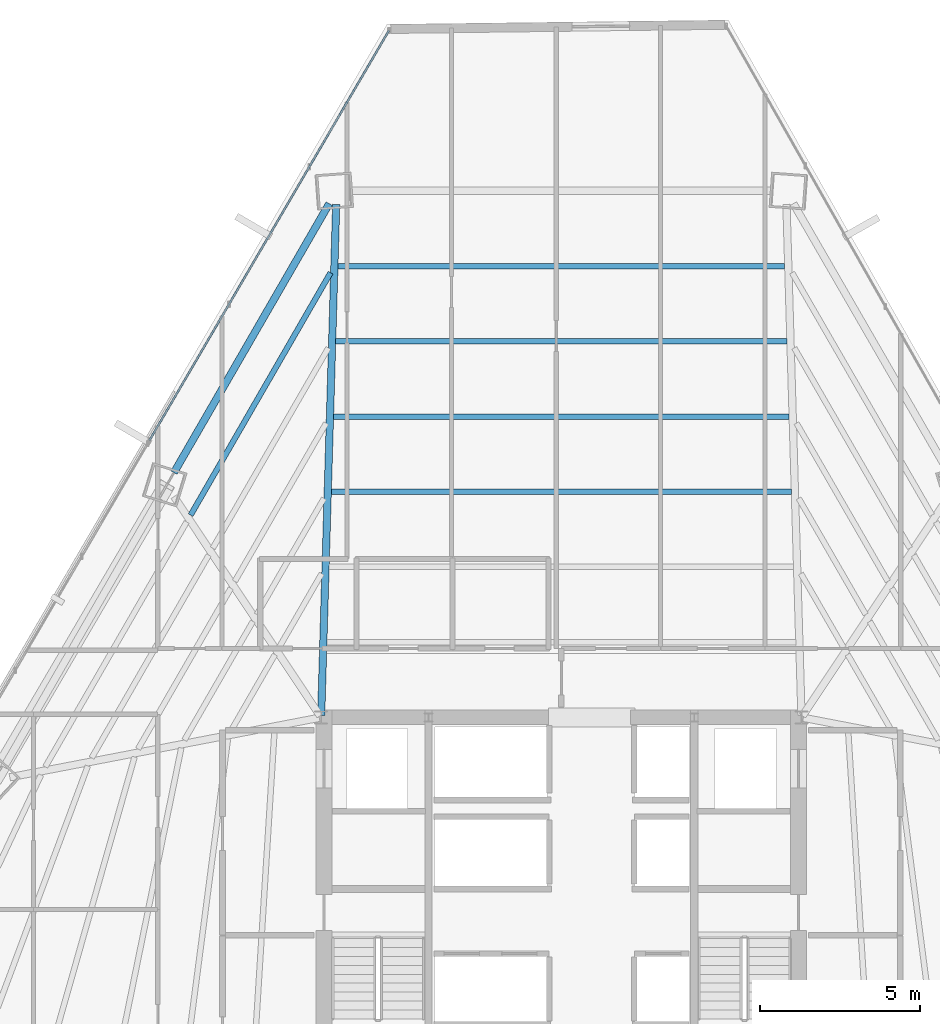
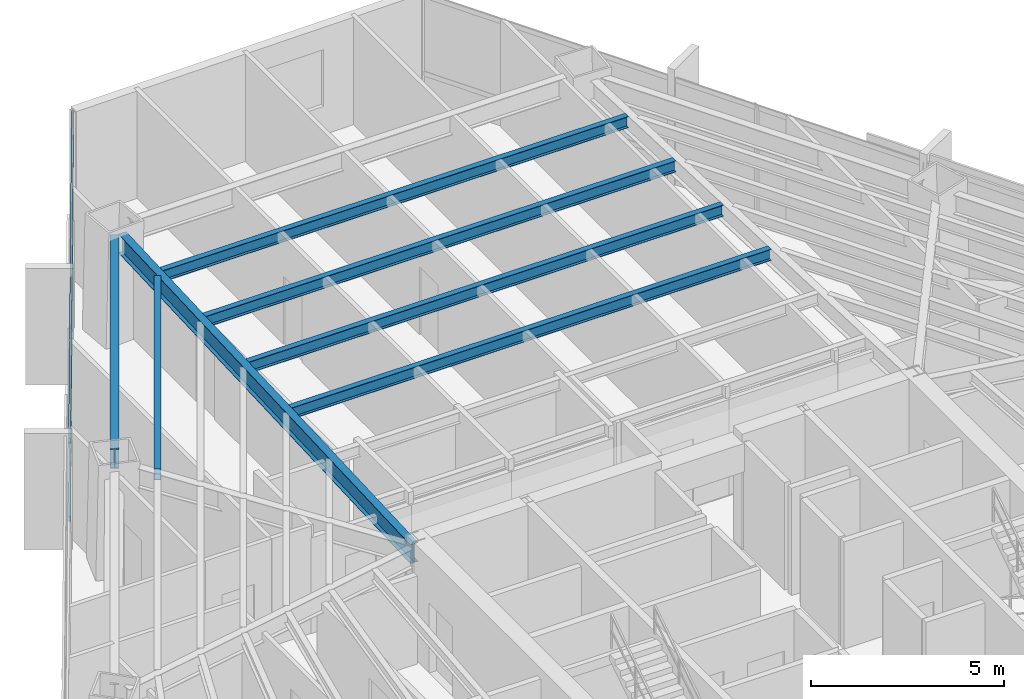
# One storey, part 26 of 37: 7 beams, 2 members, 1 element without a shape of its own.
"""IFC4 building model written with IfcOpenShell, lengths in metres."""

from ifc_helpers import new_model, si_unit, direction, frame, origin, origin_2d, place, context, subcontext, project, spatial, hollow_rectangle, i_section, extrude, source, transform, mapped, material, material_profile, profile_set, type_object, type_shapes, element, aggregate, save


model = new_model("IFC4")

# Units and contexts
model_context = context("Model", 3, precision=1e-05, world=origin(), true_north=direction((0.0, 1.0)))
body_context = subcontext(model_context, "Body", "Model", "MODEL_VIEW")
ifc_project = project(units=[si_unit("LENGTHUNIT", "METRE"), si_unit("AREAUNIT", "SQUARE_METRE"), si_unit("VOLUMEUNIT", "CUBIC_METRE"), si_unit("PLANEANGLEUNIT", "RADIAN"), si_unit("MASSUNIT", "GRAM", prefix="KILO")], contexts=[model_context])

# Site, building, storey
site_placement = place(None, origin())
site = spatial("IfcSite", under=ifc_project, at=site_placement, CompositionType="ELEMENT")
building_placement = place(site_placement, origin())
building = spatial("IfcBuilding", under=site, at=building_placement, Name="Caelisora Broadcast Tower", CompositionType="ELEMENT")
storey_placement = place(building_placement, frame((0.0, 0.0, 120.0)))
storey = spatial("IfcBuildingStorey", under=building, at=storey_placement, Name="L31", CompositionType="ELEMENT", Elevation=120.0)

# Beams
ifc_material_1 = material(Name="Steel Grade 350 (AS/NZS 3679.1)", Category="steel")
ifc_material_profile_1 = material_profile(ifc_material_1, i_section(OverallWidth=0.22900390625, OverallDepth=0.611572265625, WebThickness=0.011962890625, FlangeThickness=0.01953125, at=origin_2d()), Name="Steel Grade 350 (AS/NZS 3679.1)")
ifc_profile_set_1 = profile_set([ifc_material_profile_1], Name="Steel Grade 350 (AS/NZS 3679.1)")
beam_type_1 = type_object("IfcBeamType", Name="PG03", PredefinedType="BEAM", material=ifc_profile_set_1)
shared_shape_1 = source(origin(), body_context, "Body", "SweptSolid", [
    extrude(i_section(OverallWidth=0.22900390625, OverallDepth=0.611572265625, WebThickness=0.011962890625, FlangeThickness=0.01953125, at=origin_2d()), origin(), (0.0, 0.0, 1.0), 9.697265625),
])
type_shapes(beam_type_1, [shared_shape_1])
beam_1_placement = place(storey_placement, frame((30.7529296875, 46.04248046875, 3.09423828125), z_axis=(-0.500005767435, -0.866022073929, 0.0), x_axis=(0.866022073929, -0.500005767435, 0.0)))
element("IfcBeam", 1, at=beam_1_placement, inside=storey, type_object=beam_type_1, Name="L31 beam PG03", PredefinedType="BEAM", context=body_context, shape_type="MappedRepresentation", body=[
    mapped(shared_shape_1, transform((0.0, 0.0, 0.0), scale=1.0)),
])
ifc_material_profile_2 = material_profile(ifc_material_1, i_section(OverallWidth=0.22802734375, OverallDepth=0.602294921875, WebThickness=0.010498046875, FlangeThickness=0.014892578125, at=origin_2d()), Name="Steel Grade 350 (AS/NZS 3679.1)")
ifc_profile_set_2 = profile_set([ifc_material_profile_2], Name="Steel Grade 350 (AS/NZS 3679.1)")
beam_type_2 = type_object("IfcBeamType", Name="PG04", PredefinedType="BEAM", material=ifc_profile_set_2)
shared_shape_2 = source(origin(), body_context, "Body", "SweptSolid", [
    extrude(i_section(OverallWidth=0.22802734375, OverallDepth=0.602294921875, WebThickness=0.010498046875, FlangeThickness=0.014892578125, at=origin_2d()), origin(), (0.0, 0.0, 1.0), 15.968017578125),
])
type_shapes(beam_type_2, [shared_shape_2])
beam_2_placement = place(storey_placement, frame((30.501708984375, 30.06005859375, 3.098876953125), z_axis=(0.029370745902, 0.999568586584, 0.0), x_axis=(-0.999568586584, 0.029370745902, 0.0)))
element("IfcBeam", 2, at=beam_2_placement, inside=storey, type_object=beam_type_2, Name="L31 beam PG04", PredefinedType="BEAM", context=body_context, shape_type="MappedRepresentation", body=[
    mapped(shared_shape_2, transform((0.0, 0.0, 0.0), scale=1.0)),
])
ifc_material_profile_3 = material_profile(ifc_material_1, i_section(OverallWidth=0.172119140625, OverallDepth=0.358642578125, WebThickness=0.008056640625, FlangeThickness=0.012939453125, at=origin_2d()), Name="Steel Grade 350 (AS/NZS 3679.1)")
ifc_profile_set_3 = profile_set([ifc_material_profile_3], Name="Steel Grade 350 (AS/NZS 3679.1)")
beam_type_3 = type_object("IfcBeamType", Name="SB02", PredefinedType="JOIST", material=ifc_profile_set_3)
shared_shape_3 = source(origin(), body_context, "Body", "SweptSolid", [
    extrude(i_section(OverallWidth=0.172119140625, OverallDepth=0.358642578125, WebThickness=0.008056640625, FlangeThickness=0.012939453125, at=origin_2d()), origin(), (0.0, 0.0, 1.0), 14.36376953125),
])
beam_3_placement = place(storey_placement, frame((45.181884765625, 37.046142578125, 3.220703125), z_axis=(-1.0, 0.0, 0.0), x_axis=(0.0, -1.0, 0.0)))
element("IfcBeam", 3, at=beam_3_placement, inside=storey, type_object=beam_type_3, Name="L31 beam SB02", PredefinedType="JOIST", context=body_context, shape_type="MappedRepresentation", body=[
    mapped(shared_shape_3, transform((0.0, 0.0, 0.0), scale=1.0)),
])
shared_shape_4 = source(origin(), body_context, "Body", "SweptSolid", [
    extrude(i_section(OverallWidth=0.172119140625, OverallDepth=0.358642578125, WebThickness=0.008056640625, FlangeThickness=0.012939453125, at=origin_2d()), origin(), (0.0, 0.0, 1.0), 14.22607421875),
])
beam_4_placement = place(storey_placement, frame((45.113037109375, 39.39501953125, 3.220703125), z_axis=(-1.0, 0.0, 0.0), x_axis=(0.0, -1.0, 0.0)))
element("IfcBeam", 4, at=beam_4_placement, inside=storey, type_object=beam_type_3, Name="L31 beam SB02", PredefinedType="JOIST", context=body_context, shape_type="MappedRepresentation", body=[
    mapped(shared_shape_4, transform((0.0, 0.0, 0.0), scale=1.0)),
])
shared_shape_5 = source(origin(), body_context, "Body", "SweptSolid", [
    extrude(i_section(OverallWidth=0.172119140625, OverallDepth=0.358642578125, WebThickness=0.008056640625, FlangeThickness=0.012939453125, at=origin_2d()), origin(), (0.0, 0.0, 1.0), 14.08837890625),
])
beam_5_placement = place(storey_placement, frame((45.044189453125, 41.74365234375, 3.220703125), z_axis=(-1.0, 0.0, 0.0), x_axis=(0.0, -1.0, 0.0)))
element("IfcBeam", 5, at=beam_5_placement, inside=storey, type_object=beam_type_3, Name="L31 beam SB02", PredefinedType="JOIST", context=body_context, shape_type="MappedRepresentation", body=[
    mapped(shared_shape_5, transform((0.0, 0.0, 0.0), scale=1.0)),
])
shared_shape_6 = source(origin(), body_context, "Body", "SweptSolid", [
    extrude(i_section(OverallWidth=0.172119140625, OverallDepth=0.358642578125, WebThickness=0.008056640625, FlangeThickness=0.012939453125, at=origin_2d()), origin(), (0.0, 0.0, 1.0), 13.9501953125),
])
beam_6_placement = place(storey_placement, frame((44.97509765625, 44.09228515625, 3.220703125), z_axis=(-1.0, 0.0, 0.0), x_axis=(0.0, -1.0, 0.0)))
element("IfcBeam", 6, at=beam_6_placement, inside=storey, type_object=beam_type_3, Name="L31 beam SB02", PredefinedType="JOIST", context=body_context, shape_type="MappedRepresentation", body=[
    mapped(shared_shape_6, transform((0.0, 0.0, 0.0), scale=1.0)),
])
shared_shape_7 = source(origin(), body_context, "Body", "SweptSolid", [
    extrude(i_section(OverallWidth=0.172119140625, OverallDepth=0.358642578125, WebThickness=0.008056640625, FlangeThickness=0.012939453125, at=origin_2d()), origin(), (0.0, 0.0, 1.0), 8.739013671875),
])
type_shapes(beam_type_3, [shared_shape_3, shared_shape_4, shared_shape_5, shared_shape_6, shared_shape_7])
beam_7_placement = place(storey_placement, frame((30.79541015625, 43.88671875, 3.220703125), z_axis=(-0.500015065024, -0.866016705814, 0.0), x_axis=(0.866016705814, -0.500015065024, 0.0)))
element("IfcBeam", 7, at=beam_7_placement, inside=storey, type_object=beam_type_3, Name="L31 beam SB02", PredefinedType="JOIST", context=body_context, shape_type="MappedRepresentation", body=[
    mapped(shared_shape_7, transform((0.0, 0.0, 0.0), scale=1.0)),
])

# Curtain wall, members
ifc_material_2 = material(Name="Unitised Aluminium and Low-E Glass Curtain Wall", Category="glass")
curtain_wall_type = type_object("IfcCurtainWallType", Name="CW-Z2", PredefinedType="NOTDEFINED", material=ifc_material_2)
curtain_wall_placement = place(storey_placement, origin())
curtain_wall = element("IfcCurtainWall", 8, at=curtain_wall_placement, inside=storey, type_object=curtain_wall_type, Name="L31 curtain wall CW-Z2", PredefinedType="NOTDEFINED")
ifc_material_3 = material(Name="Aluminium 6063-T6 Anodised Terracotta Bronze", Category="aluminium")
ifc_material_profile_4 = material_profile(ifc_material_3, hollow_rectangle(XDim=0.06005859375, YDim=0.14990234375, WallThickness=0.00341796875, at=origin_2d()), Name="Aluminium 6063-T6 Anodised Terracotta Bronze")
ifc_profile_set_4 = profile_set([ifc_material_profile_4], Name="Aluminium 6063-T6 Anodised Terracotta Bronze")
member_type = type_object("IfcMemberType", Name="CWT-02", PredefinedType="USERDEFINED", material=ifc_profile_set_4)
shared_shape_8 = source(origin(), body_context, "Body", "SweptSolid", [
    extrude(hollow_rectangle(XDim=0.06005859375, YDim=0.14990234375, WallThickness=0.00341796875, at=origin_2d()), origin(), (0.0, 0.0, 1.0), 14.83203125),
])
type_shapes(member_type, [shared_shape_8])
member_1_placement = place(storey_placement, frame((25.13720703125, 38.646728515625, 0.85009765625), z_axis=(0.50449519559, 0.863414499314, 0.0), x_axis=(-0.863414499314, 0.50449519559, 0.0)))
member_1 = element("IfcMember", 9, at=member_1_placement, type_object=member_type, Name="L31-CW-B11 transom #1", ObjectType="TRANSOM", PredefinedType="USERDEFINED", context=body_context, shape_type="MappedRepresentation", body=[
    mapped(shared_shape_8, transform((0.0, 0.0, 0.0), scale=1.0)),
])
member_2_placement = place(storey_placement, frame((25.13720703125, 38.646728515625, 3.320068359375), z_axis=(0.50449519559, 0.863414499314, 0.0), x_axis=(-0.863414499314, 0.50449519559, 0.0)))
member_2 = element("IfcMember", 10, at=member_2_placement, type_object=member_type, Name="L31-CW-B11 transom #2", ObjectType="TRANSOM", PredefinedType="USERDEFINED", context=body_context, shape_type="MappedRepresentation", body=[
    mapped(shared_shape_8, transform((0.0, 0.0, 0.0), scale=1.0)),
])
aggregate(curtain_wall, [member_1, member_2])

save(model, "model.ifc")
